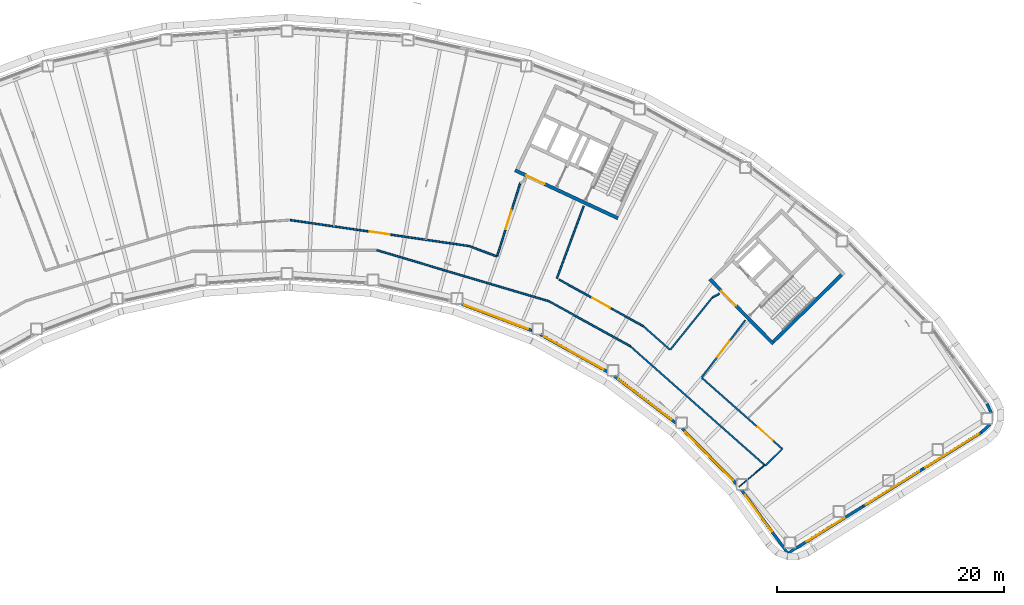
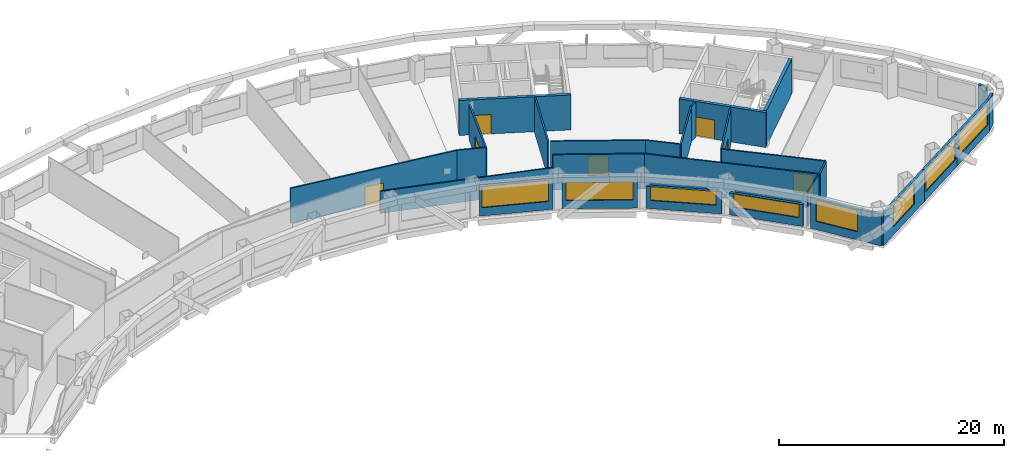
# One storey, part 6 of 19: 28 walls, 8 windows, 7 doors, 15 openings.
"""IFC4 building model written with IfcOpenShell, lengths in metres."""

from ifc_helpers import new_model, si_unit, direction, frame, frame_2d, origin, place, context, subcontext, project, spatial, rectangle, extrude, material, layer, layer_set, type_object, element, fill, save


model = new_model("IFC4")

# Units and contexts
model_context = context("Model", 3, precision=1e-05, world=origin(), true_north=direction((0.0, 1.0)))
body_context = subcontext(model_context, "Body", "Model", "MODEL_VIEW")
ifc_project = project(units=[si_unit("LENGTHUNIT", "METRE"), si_unit("AREAUNIT", "SQUARE_METRE"), si_unit("VOLUMEUNIT", "CUBIC_METRE"), si_unit("PLANEANGLEUNIT", "RADIAN"), si_unit("MASSUNIT", "GRAM", prefix="KILO")], contexts=[model_context])

# Site, building, storey
site_placement = place(None, origin())
site = spatial("IfcSite", under=ifc_project, at=site_placement, CompositionType="ELEMENT")
building_placement = place(site_placement, origin())
building = spatial("IfcBuilding", under=site, at=building_placement, Name="Tuul Gate Civic Tower", CompositionType="ELEMENT")
storey_placement = place(building_placement, frame((0.0, 0.0, 163.39990234375)))
storey = spatial("IfcBuildingStorey", under=building, at=storey_placement, Name="Level 37", CompositionType="ELEMENT", Elevation=163.39990234375)

# Wall, opening, door
ifc_material_1 = material(Name="Concrete C50/60", Category="concrete")
ifc_layer_1 = layer(ifc_material_1, 0.300048828125)
ifc_layer_set_1 = layer_set([ifc_layer_1], Name="Concrete C50/60")
wall_type_1 = type_object("IfcWallType", Name="Core wall C50/60", PredefinedType="SHEAR", material=ifc_layer_set_1)
wall_1_placement = place(storey_placement, frame((48.22509765625, -18.327880859375, 0.0), z_axis=(0.0, 0.0, 1.0), x_axis=(-0.700021979774, 0.714121297703, 0.0)))
wall_1 = element("IfcWall", 1, at=wall_1_placement, inside=storey, type_object=wall_type_1, Name="Core wall", PredefinedType="SHEAR", context=body_context, shape_type="SweptSolid", body=[
    extrude(rectangle(XDim=8.0, YDim=0.300048828125, at=frame_2d((4.0, 0.0))), origin(), (0.0, 0.0, 1.0), 3.800048828125),
])
opening_1_placement = place(wall_1_placement, frame((4.72509765625, 0.0, 0.0)))
opening_1 = element("IfcOpeningElement", 2, at=opening_1_placement, cuts=wall_1, Name="Opening LB-E1-LOBBY-1", PredefinedType="OPENING", context=body_context, shape_type="SweptSolid", body=[
    extrude(rectangle(XDim=1.800048828125, YDim=2.10009765625, at=frame_2d((0.89990234375, 1.050048828125))), frame((0.0, 0.16015625, 0.0), z_axis=(0.0, -1.0, 0.0), x_axis=(1.0, 0.0, 0.0)), (0.0, 0.0, 1.0), 0.320068359375),
])
ifc_material_2 = material(Name="Steel", Category="steel")
door_type_1 = type_object("IfcDoorType", Name="Lobby door", OperationType="DOUBLE_DOOR_SINGLE_SWING", PredefinedType="DOOR", material=ifc_material_2)
door_1_placement = place(opening_1_placement, frame((1.800048828125, 0.0, 0.0), z_axis=(0.0, 0.0, 1.0), x_axis=(-1.0, 0.0, 0.0)))
door_1 = element("IfcDoor", 3, at=door_1_placement, inside=storey, type_object=door_type_1, Name="Lobby door E1-LOBBY", OperationType="DOUBLE_DOOR_SINGLE_SWING", OverallHeight=2.10009765625, OverallWidth=1.800048828125, PredefinedType="DOOR", context=body_context, shape_type="SweptSolid", body=[
    extrude(rectangle(XDim=1.800048828125, YDim=2.10009765625, at=frame_2d((0.900146484375, 1.050048828125))), frame((0.0, 0.02490234375, 0.0), z_axis=(0.0, -1.0, 0.0), x_axis=(1.0, 0.0, 0.0)), (0.0, 0.0, 1.0), 0.050048828125),
])
fill(opening_1, door_1)

# Wall
wall_2_placement = place(storey_placement, frame((48.227294921875, -18.115966796875, 0.0), z_axis=(0.0, 0.0, 1.0), x_axis=(0.714105315431, 0.700038283577, 0.0)))
element("IfcWall", 4, at=wall_2_placement, inside=storey, type_object=wall_type_1, Name="Core wall", PredefinedType="SHEAR", context=body_context, shape_type="SweptSolid", body=[
    extrude(rectangle(XDim=8.400146484375, YDim=0.300048828125, at=frame_2d((4.2001953125, 0.0))), origin(), (0.0, 0.0, 1.0), 3.800048828125),
])

# Wall, opening, door
wall_3_placement = place(storey_placement, frame((34.5283203125, -7.25, 0.0), z_axis=(0.0, 0.0, 1.0), x_axis=(-0.906310338845, 0.422612789327, 0.0)))
wall_3 = element("IfcWall", 5, at=wall_3_placement, inside=storey, type_object=wall_type_1, Name="Core wall", PredefinedType="SHEAR", context=body_context, shape_type="SweptSolid", body=[
    extrude(rectangle(XDim=9.999755859375, YDim=0.300048828125, at=frame_2d((5.0, 0.0))), origin(), (0.0, 0.0, 1.0), 3.800048828125),
])
opening_2_placement = place(wall_3_placement, frame((7.125, 0.0, 0.0)))
opening_2 = element("IfcOpeningElement", 6, at=opening_2_placement, cuts=wall_3, Name="Opening LB-E3-LOBBY-1", PredefinedType="OPENING", context=body_context, shape_type="SweptSolid", body=[
    extrude(rectangle(XDim=1.800048828125, YDim=2.10009765625, at=frame_2d((0.89990234375, 1.050048828125))), frame((0.0, 0.16015625, 0.0), z_axis=(0.0, -1.0, 0.0), x_axis=(1.0, 0.0, 0.0)), (0.0, 0.0, 1.0), 0.320068359375),
])
door_2_placement = place(opening_2_placement, frame((1.800048828125, 0.0, 0.0), z_axis=(0.0, 0.0, 1.0), x_axis=(-1.0, 0.0, 0.0)))
door_2 = element("IfcDoor", 7, at=door_2_placement, inside=storey, type_object=door_type_1, Name="Lobby door E3-LOBBY", OperationType="DOUBLE_DOOR_SINGLE_SWING", OverallHeight=2.10009765625, OverallWidth=1.800048828125, PredefinedType="DOOR", context=body_context, shape_type="SweptSolid", body=[
    extrude(rectangle(XDim=1.800048828125, YDim=2.10009765625, at=frame_2d((0.900146484375, 1.050048828125))), frame((0.0, 0.02490234375, 0.0), z_axis=(0.0, -1.0, 0.0), x_axis=(1.0, 0.0, 0.0)), (0.0, 0.0, 1.0), 0.050048828125),
])
fill(opening_2, door_2)

# Walls
ifc_material_3 = material(Name="Gypsum board partition")
ifc_layer_2 = layer(ifc_material_3, 0.14990234375)
ifc_layer_set_2 = layer_set([ifc_layer_2], Name="Gypsum board partition")
wall_type_2 = type_object("IfcWallType", Name="Corridor wall P150", PredefinedType="PARTITIONING", material=ifc_layer_set_2)
wall_4_placement = place(storey_placement, frame((35.603759765625, -18.517578125, 0.0), z_axis=(0.0, 0.0, 1.0), x_axis=(0.749292763944, -0.662238894887, 0.0)))
element("IfcWall", 8, at=wall_4_placement, inside=storey, type_object=wall_type_2, Name="p003", PredefinedType="PARTITIONING", context=body_context, shape_type="SweptSolid", body=[
    extrude(rectangle(XDim=15.9013671875, YDim=0.14990234375, at=frame_2d((7.95068359375, 0.0))), origin(), (0.0, 0.0, 1.0), 3.800048828125),
])
wall_5_placement = place(storey_placement, frame((47.5185546875, -29.048095703125, 0.0), z_axis=(0.0, 0.0, 1.0), x_axis=(0.71162637718, 0.702558110978, 0.0)))
element("IfcWall", 9, at=wall_5_placement, inside=storey, type_object=wall_type_2, Name="p004", PredefinedType="PARTITIONING", context=body_context, shape_type="SweptSolid", body=[
    extrude(rectangle(XDim=2.099853515625, YDim=0.14990234375, at=frame_2d((1.0498046875, 0.0))), origin(), (0.0, 0.0, 1.0), 3.800048828125),
])
wall_6_placement = place(storey_placement, frame((36.755615234375, -16.755126953125, 0.0), z_axis=(0.0, 0.0, 1.0), x_axis=(0.749728970653, -0.661745019297, 0.0)))
element("IfcWall", 10, at=wall_6_placement, inside=storey, type_object=wall_type_2, Name="p005", PredefinedType="PARTITIONING", context=body_context, shape_type="SweptSolid", body=[
    extrude(rectangle(XDim=3.14111328125, YDim=0.14990234375, at=frame_2d((1.570556640625, 0.0))), origin(), (0.0, 0.0, 1.0), 3.800048828125),
])

# Wall, opening, door
wall_7_placement = place(storey_placement, frame((41.91015625, -21.30419921875, 0.0), z_axis=(0.0, 0.0, 1.0), x_axis=(0.74976489893, -0.661704311859, 0.0)))
wall_7 = element("IfcWall", 11, at=wall_7_placement, inside=storey, type_object=wall_type_2, Name="p006", PredefinedType="PARTITIONING", context=body_context, shape_type="SweptSolid", body=[
    extrude(rectangle(XDim=9.473388671875, YDim=0.14990234375, at=frame_2d((4.73681640625, 0.0))), origin(), (0.0, 0.0, 1.0), 3.800048828125),
])
opening_3_placement = place(wall_7_placement, frame((6.538818359375, 0.0, 0.0)))
opening_3 = element("IfcOpeningElement", 12, at=opening_3_placement, cuts=wall_7, Name="Opening M-D01", PredefinedType="OPENING", context=body_context, shape_type="SweptSolid", body=[
    extrude(rectangle(XDim=1.800048828125, YDim=2.10009765625, at=frame_2d((0.89990234375, 1.050048828125))), frame((0.0, 0.0849609375, 0.0), z_axis=(0.0, -1.0, 0.0), x_axis=(1.0, 0.0, 0.0)), (0.0, 0.0, 1.0), 0.169921875),
])
ifc_material_4 = material(Name="Timber door leaf, double", Category="wood")
door_type_2 = type_object("IfcDoorType", Name="Door D18", OperationType="DOUBLE_DOOR_SINGLE_SWING", PredefinedType="DOOR", material=ifc_material_4)
door_3_placement = place(opening_3_placement, origin())
door_3 = element("IfcDoor", 13, at=door_3_placement, inside=storey, type_object=door_type_2, Name="Door M-D01", OperationType="DOUBLE_DOOR_SINGLE_SWING", OverallHeight=2.10009765625, OverallWidth=1.800048828125, PredefinedType="DOOR", context=body_context, shape_type="SweptSolid", body=[
    extrude(rectangle(XDim=1.800048828125, YDim=2.10009765625, at=frame_2d((0.89990234375, 1.050048828125))), frame((0.0, 0.02490234375, 0.0), z_axis=(0.0, -1.0, 0.0), x_axis=(1.0, 0.0, 0.0)), (0.0, 0.0, 1.0), 0.050048828125),
])
fill(opening_3, door_3)

wall_8_placement = place(storey_placement, frame((41.9072265625, -21.27587890625, 0.0), z_axis=(0.0, 0.0, 1.0), x_axis=(0.605793761473, 0.795621718256, 0.0)))
wall_8 = element("IfcWall", 14, at=wall_8_placement, inside=storey, type_object=wall_type_2, Name="p008", PredefinedType="PARTITIONING", context=body_context, shape_type="SweptSolid", body=[
    extrude(rectangle(XDim=6.340576171875, YDim=0.14990234375, at=frame_2d((3.17041015625, 0.0))), origin(), (0.0, 0.0, 1.0), 3.800048828125),
])
opening_4_placement = place(wall_8_placement, frame((2.270263671875, 0.0, 0.0)))
opening_4 = element("IfcOpeningElement", 15, at=opening_4_placement, cuts=wall_8, Name="Opening M-D02", PredefinedType="OPENING", context=body_context, shape_type="SweptSolid", body=[
    extrude(rectangle(XDim=1.800048828125, YDim=2.10009765625, at=frame_2d((0.89990234375, 1.050048828125))), frame((0.0, 0.0849609375, 0.0), z_axis=(0.0, -1.0, 0.0), x_axis=(1.0, 0.0, 0.0)), (0.0, 0.0, 1.0), 0.169921875),
])
door_4_placement = place(opening_4_placement, frame((1.800048828125, 0.0, 0.0), z_axis=(0.0, 0.0, 1.0), x_axis=(-1.0, 0.0, 0.0)))
door_4 = element("IfcDoor", 16, at=door_4_placement, inside=storey, type_object=door_type_2, Name="Door M-D02", OperationType="DOUBLE_DOOR_SINGLE_SWING", OverallHeight=2.10009765625, OverallWidth=1.800048828125, PredefinedType="DOOR", context=body_context, shape_type="SweptSolid", body=[
    extrude(rectangle(XDim=1.800048828125, YDim=2.10009765625, at=frame_2d((0.900146484375, 1.050048828125))), frame((0.0, 0.02490234375, 0.0), z_axis=(0.0, -1.0, 0.0), x_axis=(1.0, 0.0, 0.0)), (0.0, 0.0, 1.0), 0.050048828125),
])
fill(opening_4, door_4)

# Walls
wall_9_placement = place(storey_placement, frame((21.3896484375, -9.6923828125, 0.0), z_axis=(0.0, 0.0, 1.0), x_axis=(0.937205585991, -0.34877742127, 0.0)))
element("IfcWall", 17, at=wall_9_placement, inside=storey, type_object=wall_type_2, Name="p010", PredefinedType="PARTITIONING", context=body_context, shape_type="SweptSolid", body=[
    extrude(rectangle(XDim=2.624267578125, YDim=0.14990234375, at=frame_2d((1.31201171875, 0.0))), origin(), (0.0, 0.0, 1.0), 3.800048828125),
])
wall_10_placement = place(storey_placement, frame((29.14208984375, -12.554931640625, 0.0), z_axis=(0.0, 0.0, 1.0), x_axis=(0.348381961378, 0.937352659881, 0.0)))
element("IfcWall", 18, at=wall_10_placement, inside=storey, type_object=wall_type_2, Name="p011", PredefinedType="PARTITIONING", context=body_context, shape_type="SweptSolid", body=[
    extrude(rectangle(XDim=6.805908203125, YDim=0.14990234375, at=frame_2d((3.40283203125, 0.0))), origin(), (0.0, 0.0, 1.0), 3.800048828125),
])
wall_11_placement = place(storey_placement, frame((42.857177734375, -14.217529296875, 0.0), z_axis=(0.0, 0.0, 1.0), x_axis=(0.886158968438, 0.463381357692, 0.0)))
element("IfcWall", 19, at=wall_11_placement, inside=storey, type_object=wall_type_2, Name="p012", PredefinedType="PARTITIONING", context=body_context, shape_type="SweptSolid", body=[
    extrude(rectangle(XDim=0.685546875, YDim=0.14990234375, at=frame_2d((0.3427734375, 0.0))), origin(), (0.0, 0.0, 1.0), 3.800048828125),
])
wall_12_placement = place(storey_placement, frame((39.140625, -18.831298828125, 0.0), z_axis=(0.0, 0.0, 1.0), x_axis=(0.627319818976, 0.778761738094, 0.0)))
element("IfcWall", 20, at=wall_12_placement, inside=storey, type_object=wall_type_2, Name="p013", PredefinedType="PARTITIONING", context=body_context, shape_type="SweptSolid", body=[
    extrude(rectangle(XDim=5.924560546875, YDim=0.14990234375, at=frame_2d((2.96240234375, 0.0))), origin(), (0.0, 0.0, 1.0), 3.800048828125),
])

# Wall, opening, door
wall_13_placement = place(storey_placement, frame((29.334228515625, -12.648193359375, 0.0), z_axis=(0.0, 0.0, 1.0), x_axis=(0.874959843626, -0.484195489489, 0.0)))
wall_13 = element("IfcWall", 21, at=wall_13_placement, inside=storey, type_object=wall_type_2, Name="p014", PredefinedType="PARTITIONING", context=body_context, shape_type="SweptSolid", body=[
    extrude(rectangle(XDim=8.48193359375, YDim=0.14990234375, at=frame_2d((4.240966796875, 0.0))), origin(), (0.0, 0.0, 1.0), 3.800048828125),
])
opening_5_placement = place(wall_13_placement, frame((3.3408203125, 0.0, 0.0)))
opening_5 = element("IfcOpeningElement", 22, at=opening_5_placement, cuts=wall_13, Name="Opening M-D03", PredefinedType="OPENING", context=body_context, shape_type="SweptSolid", body=[
    extrude(rectangle(XDim=1.800048828125, YDim=2.10009765625, at=frame_2d((0.89990234375, 1.050048828125))), frame((0.0, 0.0849609375, 0.0), z_axis=(0.0, -1.0, 0.0), x_axis=(1.0, 0.0, 0.0)), (0.0, 0.0, 1.0), 0.169921875),
])
door_5_placement = place(opening_5_placement, origin())
door_5 = element("IfcDoor", 23, at=door_5_placement, inside=storey, type_object=door_type_2, Name="Door M-D03", OperationType="DOUBLE_DOOR_SINGLE_SWING", OverallHeight=2.10009765625, OverallWidth=1.800048828125, PredefinedType="DOOR", context=body_context, shape_type="SweptSolid", body=[
    extrude(rectangle(XDim=1.800048828125, YDim=2.10009765625, at=frame_2d((0.89990234375, 1.050048828125))), frame((0.0, 0.02490234375, 0.0), z_axis=(0.0, -1.0, 0.0), x_axis=(1.0, 0.0, 0.0)), (0.0, 0.0, 1.0), 0.050048828125),
])
fill(opening_5, door_5)

wall_14_placement = place(storey_placement, frame((23.87548828125, -10.596435546875, 0.0), z_axis=(0.0, 0.0, 1.0), x_axis=(0.302123034853, 0.953268939917, 0.0)))
wall_14 = element("IfcWall", 24, at=wall_14_placement, inside=storey, type_object=wall_type_2, Name="p017", PredefinedType="PARTITIONING", context=body_context, shape_type="SweptSolid", body=[
    extrude(rectangle(XDim=6.761962890625, YDim=0.14990234375, at=frame_2d((3.380859375, 0.0))), origin(), (0.0, 0.0, 1.0), 3.800048828125),
])
opening_6_placement = place(wall_14_placement, frame((2.481201171875, 0.0, 0.0)))
opening_6 = element("IfcOpeningElement", 25, at=opening_6_placement, cuts=wall_14, Name="Opening M-D04", PredefinedType="OPENING", context=body_context, shape_type="SweptSolid", body=[
    extrude(rectangle(XDim=1.800048828125, YDim=2.10009765625, at=frame_2d((0.89990234375, 1.050048828125))), frame((0.0, 0.0849609375, 0.0), z_axis=(0.0, -1.0, 0.0), x_axis=(1.0, 0.0, 0.0)), (0.0, 0.0, 1.0), 0.169921875),
])
door_6_placement = place(opening_6_placement, origin())
door_6 = element("IfcDoor", 26, at=door_6_placement, inside=storey, type_object=door_type_2, Name="Door M-D04", OperationType="DOUBLE_DOOR_SINGLE_SWING", OverallHeight=2.10009765625, OverallWidth=1.800048828125, PredefinedType="DOOR", context=body_context, shape_type="SweptSolid", body=[
    extrude(rectangle(XDim=1.800048828125, YDim=2.10009765625, at=frame_2d((0.89990234375, 1.050048828125))), frame((0.0, 0.02490234375, 0.0), z_axis=(0.0, -1.0, 0.0), x_axis=(1.0, 0.0, 0.0)), (0.0, 0.0, 1.0), 0.050048828125),
])
fill(opening_6, door_6)

wall_15_placement = place(storey_placement, frame((5.618408203125, -7.40478515625, 0.0), z_axis=(0.0, 0.0, 1.0), x_axis=(0.989620181585, -0.143707676205, 0.0)))
wall_15 = element("IfcWall", 27, at=wall_15_placement, inside=storey, type_object=wall_type_2, Name="p018", PredefinedType="PARTITIONING", context=body_context, shape_type="SweptSolid", body=[
    extrude(rectangle(XDim=15.93359375, YDim=0.14990234375, at=frame_2d((7.966796875, 0.0))), origin(), (0.0, 0.0, 1.0), 3.800048828125),
])
opening_7_placement = place(wall_15_placement, frame((7.1103515625, 0.0, 0.0)))
opening_7 = element("IfcOpeningElement", 28, at=opening_7_placement, cuts=wall_15, Name="Opening M-D05", PredefinedType="OPENING", context=body_context, shape_type="SweptSolid", body=[
    extrude(rectangle(XDim=1.800048828125, YDim=2.10009765625, at=frame_2d((0.89990234375, 1.050048828125))), frame((0.0, 0.0849609375, 0.0), z_axis=(0.0, -1.0, 0.0), x_axis=(1.0, 0.0, 0.0)), (0.0, 0.0, 1.0), 0.169921875),
])
door_7_placement = place(opening_7_placement, origin())
door_7 = element("IfcDoor", 29, at=door_7_placement, inside=storey, type_object=door_type_2, Name="Door M-D05", OperationType="DOUBLE_DOOR_SINGLE_SWING", OverallHeight=2.10009765625, OverallWidth=1.800048828125, PredefinedType="DOOR", context=body_context, shape_type="SweptSolid", body=[
    extrude(rectangle(XDim=1.800048828125, YDim=2.10009765625, at=frame_2d((0.89990234375, 1.050048828125))), frame((0.0, 0.02490234375, 0.0), z_axis=(0.0, -1.0, 0.0), x_axis=(1.0, 0.0, 0.0)), (0.0, 0.0, 1.0), 0.050048828125),
])
fill(opening_7, door_7)

# Walls
wall_16_placement = place(storey_placement, frame((28.455078125, -14.56201171875, 0.0), z_axis=(0.0, 0.0, 1.0), x_axis=(0.874963744248, -0.484188440849, 0.0)))
element("IfcWall", 30, at=wall_16_placement, inside=storey, type_object=wall_type_2, Name="p056", PredefinedType="PARTITIONING", context=body_context, shape_type="SweptSolid", body=[
    extrude(rectangle(XDim=8.169921875, YDim=0.14990234375, at=frame_2d((4.0849609375, 0.0))), origin(), (0.0, 0.0, 1.0), 3.800048828125),
])
ifc_material_5 = material(Name="Gypsum board partition")
ifc_layer_3 = layer(ifc_material_5, 0.14990234375)
ifc_layer_set_3 = layer_set([ifc_layer_3], Name="Gypsum board partition")
wall_type_3 = type_object("IfcWallType", Name="Corridor wall P150 2400 HIGH", PredefinedType="PARTITIONING", material=ifc_layer_set_3)
wall_17_placement = place(storey_placement, frame((13.28662109375, -10.06591796875, 0.0), z_axis=(0.0, 0.0, 1.0), x_axis=(0.958768217099, -0.284189207888, 0.0)))
element("IfcWall", 31, at=wall_17_placement, inside=storey, type_object=wall_type_3, Name="p055", PredefinedType="PARTITIONING", context=body_context, shape_type="SweptSolid", body=[
    extrude(rectangle(XDim=15.82080078125, YDim=0.14990234375, at=frame_2d((7.910400390625, 0.0))), origin(), (0.0, 0.0, 1.0), 2.400146484375),
])
ifc_material_6 = material(Name="Precast concrete C40/50", Category="concrete")
ifc_layer_4 = layer(ifc_material_6, 0.25)
ifc_layer_set_4 = layer_set([ifc_layer_4], Name="Precast concrete C40/50")
wall_type_4 = type_object("IfcWallType", Name="External wall", PredefinedType="STANDARD", material=ifc_layer_set_4)
wall_18_placement = place(storey_placement, frame((66.564453125, -26.109619140625, 0.0), z_axis=(0.0, 0.0, 1.0), x_axis=(0.722224898846, 0.691658293875, 0.0)))
element("IfcWall", 32, at=wall_18_placement, inside=storey, type_object=wall_type_4, Name="External wall", PredefinedType="STANDARD", context=body_context, shape_type="SweptSolid", body=[
    extrude(rectangle(XDim=1.0302734375, YDim=0.25, at=frame_2d((0.51513671875, 0.0))), origin(), (0.0, 0.0, 1.0), 3.4501953125),
])
wall_19_placement = place(storey_placement, frame((67.416015625, -24.39697265625, 0.0), z_axis=(0.0, 0.0, 1.0), x_axis=(-0.41355333093, 0.9104798968, 0.0)))
element("IfcWall", 33, at=wall_19_placement, inside=storey, type_object=wall_type_4, Name="External wall", PredefinedType="STANDARD", context=body_context, shape_type="SweptSolid", body=[
    extrude(rectangle(XDim=0.88427734375, YDim=0.25, at=frame_2d((0.442138671875, 0.0))), origin(), (0.0, 0.0, 1.0), 3.4501953125),
])

# Wall, opening, window
wall_20_placement = place(storey_placement, frame((20.76416015625, -14.806884765625, 0.0), z_axis=(0.0, 0.0, 1.0), x_axis=(0.935359421998, -0.353698673562, 0.0)))
wall_20 = element("IfcWall", 34, at=wall_20_placement, inside=storey, type_object=wall_type_4, Name="External wall", PredefinedType="STANDARD", context=body_context, shape_type="SweptSolid", body=[
    extrude(rectangle(XDim=6.625, YDim=0.25, at=frame_2d((3.3125, 0.0))), origin(), (0.0, 0.0, 1.0), 3.4501953125),
])
opening_8_placement = place(wall_20_placement, frame((0.240478515625, 0.0, 0.89990234375)))
opening_8 = element("IfcOpeningElement", 35, at=opening_8_placement, cuts=wall_20, Name="Opening W26", PredefinedType="OPENING", context=body_context, shape_type="SweptSolid", body=[
    extrude(rectangle(XDim=6.0, YDim=2.300048828125, at=frame_2d((3.0, 1.14990234375))), frame((0.0, 0.135009765625, 0.0), z_axis=(0.0, -1.0, 0.0), x_axis=(1.0, 0.0, 0.0)), (0.0, 0.0, 1.0), 0.27001953125),
])
ifc_material_7 = material(Name="Glass", Category="glass")
window_type_1 = type_object("IfcWindowType", Name="Window W26 6000 x 2300", PartitioningType="SINGLE_PANEL", PredefinedType="WINDOW", material=ifc_material_7)
window_1_placement = place(opening_8_placement, origin())
window_1 = element("IfcWindow", 36, at=window_1_placement, inside=storey, type_object=window_type_1, Name="Window", OverallHeight=2.300048828125, OverallWidth=6.0, PartitioningType="SINGLE_PANEL", PredefinedType="WINDOW", context=body_context, shape_type="SweptSolid", body=[
    extrude(rectangle(XDim=6.0, YDim=2.300048828125, at=frame_2d((3.0, 1.14990234375))), frame((0.0, 0.030029296875, 0.0), z_axis=(0.0, -1.0, 0.0), x_axis=(1.0, 0.0, 0.0)), (0.0, 0.0, 1.0), 0.06005859375),
])
fill(opening_8, window_1)

wall_21_placement = place(storey_placement, frame((27.693115234375, -17.491943359375, 0.0), z_axis=(0.0, 0.0, 1.0), x_axis=(0.874615488592, -0.484817230628, 0.0)))
wall_21 = element("IfcWall", 37, at=wall_21_placement, inside=storey, type_object=wall_type_4, Name="External wall", PredefinedType="STANDARD", context=body_context, shape_type="SweptSolid", body=[
    extrude(rectangle(XDim=6.7548828125, YDim=0.25, at=frame_2d((3.37744140625, 0.0))), origin(), (0.0, 0.0, 1.0), 3.4501953125),
])
opening_9_placement = place(wall_21_placement, frame((0.35009765625, 0.0, 0.89990234375)))
opening_9 = element("IfcOpeningElement", 38, at=opening_9_placement, cuts=wall_21, Name="Opening W148", PredefinedType="OPENING", context=body_context, shape_type="SweptSolid", body=[
    extrude(rectangle(XDim=6.0, YDim=1.949951171875, at=frame_2d((3.0, 0.97509765625))), frame((0.0, 0.135009765625, 0.0), z_axis=(0.0, -1.0, 0.0), x_axis=(1.0, 0.0, 0.0)), (0.0, 0.0, 1.0), 0.27001953125),
])
ifc_material_8 = material(Name="Glass", Category="glass")
window_type_2 = type_object("IfcWindowType", Name="Window W148 6000 x 1950", PartitioningType="SINGLE_PANEL", PredefinedType="WINDOW", material=ifc_material_8)
window_2_placement = place(opening_9_placement, origin())
window_2 = element("IfcWindow", 39, at=window_2_placement, inside=storey, type_object=window_type_2, Name="Window", OverallHeight=1.949951171875, OverallWidth=6.0, PartitioningType="SINGLE_PANEL", PredefinedType="WINDOW", context=body_context, shape_type="SweptSolid", body=[
    extrude(rectangle(XDim=6.0, YDim=1.949951171875, at=frame_2d((3.0, 0.97509765625))), frame((0.0, 0.030029296875, 0.0), z_axis=(0.0, -1.0, 0.0), x_axis=(1.0, 0.0, 0.0)), (0.0, 0.0, 1.0), 0.06005859375),
])
fill(opening_9, window_2)

wall_22_placement = place(storey_placement, frame((45.417724609375, -31.193115234375, 0.0), z_axis=(0.0, 0.0, 1.0), x_axis=(0.589725122594, -0.807604036507, 0.0)))
wall_22 = element("IfcWall", 40, at=wall_22_placement, inside=storey, type_object=wall_type_4, Name="External wall", PredefinedType="STANDARD", context=body_context, shape_type="SweptSolid", body=[
    extrude(rectangle(XDim=6.910400390625, YDim=0.25, at=frame_2d((3.455078125, 0.0))), origin(), (0.0, 0.0, 1.0), 3.4501953125),
])
opening_10_placement = place(wall_22_placement, frame((0.5439453125, 0.0, 0.89990234375)))
opening_10 = element("IfcOpeningElement", 41, at=opening_10_placement, cuts=wall_22, Name="Opening W117", PredefinedType="OPENING", context=body_context, shape_type="SweptSolid", body=[
    extrude(rectangle(XDim=4.0, YDim=2.300048828125, at=frame_2d((2.0, 1.14990234375))), frame((0.0, 0.135009765625, 0.0), z_axis=(0.0, -1.0, 0.0), x_axis=(1.0, 0.0, 0.0)), (0.0, 0.0, 1.0), 0.27001953125),
])
ifc_material_9 = material(Name="Glass", Category="glass")
window_type_3 = type_object("IfcWindowType", Name="Window W117 4000 x 2300", PartitioningType="SINGLE_PANEL", PredefinedType="WINDOW", material=ifc_material_9)
window_3_placement = place(opening_10_placement, origin())
window_3 = element("IfcWindow", 42, at=window_3_placement, inside=storey, type_object=window_type_3, Name="Window", OverallHeight=2.300048828125, OverallWidth=4.0, PartitioningType="SINGLE_PANEL", PredefinedType="WINDOW", context=body_context, shape_type="SweptSolid", body=[
    extrude(rectangle(XDim=4.0, YDim=2.300048828125, at=frame_2d((2.0, 1.14990234375))), frame((0.0, 0.030029296875, 0.0), z_axis=(0.0, -1.0, 0.0), x_axis=(1.0, 0.0, 0.0)), (0.0, 0.0, 1.0), 0.06005859375),
])
fill(opening_10, window_3)

wall_23_placement = place(storey_placement, frame((49.492919921875, -36.77392578125, 0.0), z_axis=(0.0, 0.0, 1.0), x_axis=(0.848059933221, 0.529900320499, 0.0)))
wall_23 = element("IfcWall", 43, at=wall_23_placement, inside=storey, type_object=wall_type_4, Name="External wall", PredefinedType="STANDARD", context=body_context, shape_type="SweptSolid", body=[
    extrude(rectangle(XDim=7.78857421875, YDim=0.25, at=frame_2d((3.894287109375, 0.0))), origin(), (0.0, 0.0, 1.0), 3.4501953125),
])
opening_11_placement = place(wall_23_placement, frame((1.94189453125, 0.0, 0.89990234375)))
opening_11 = element("IfcOpeningElement", 44, at=opening_11_placement, cuts=wall_23, Name="Opening W113", PredefinedType="OPENING", context=body_context, shape_type="SweptSolid", body=[
    extrude(rectangle(XDim=3.949951171875, YDim=2.300048828125, at=frame_2d((1.97509765625, 1.14990234375))), frame((0.0, 0.135009765625, 0.0), z_axis=(0.0, -1.0, 0.0), x_axis=(1.0, 0.0, 0.0)), (0.0, 0.0, 1.0), 0.27001953125),
])
ifc_material_10 = material(Name="Glass", Category="glass")
window_type_4 = type_object("IfcWindowType", Name="Window W113 3950 x 2300", PartitioningType="SINGLE_PANEL", PredefinedType="WINDOW", material=ifc_material_10)
window_4_placement = place(opening_11_placement, origin())
window_4 = element("IfcWindow", 45, at=window_4_placement, inside=storey, type_object=window_type_4, Name="Window", OverallHeight=2.300048828125, OverallWidth=3.949951171875, PartitioningType="SINGLE_PANEL", PredefinedType="WINDOW", context=body_context, shape_type="SweptSolid", body=[
    extrude(rectangle(XDim=3.949951171875, YDim=2.300048828125, at=frame_2d((1.97509765625, 1.14990234375))), frame((0.0, 0.030029296875, 0.0), z_axis=(0.0, -1.0, 0.0), x_axis=(1.0, 0.0, 0.0)), (0.0, 0.0, 1.0), 0.06005859375),
])
fill(opening_11, window_4)

wall_24_placement = place(storey_placement, frame((56.09814453125, -32.646728515625, 0.0), z_axis=(0.0, 0.0, 1.0), x_axis=(0.848042669488, 0.529927948619, 0.0)))
wall_24 = element("IfcWall", 46, at=wall_24_placement, inside=storey, type_object=wall_type_4, Name="External wall", PredefinedType="STANDARD", context=body_context, shape_type="SweptSolid", body=[
    extrude(rectangle(XDim=6.1826171875, YDim=0.25, at=frame_2d((3.09130859375, 0.0))), origin(), (0.0, 0.0, 1.0), 3.4501953125),
])
opening_12_placement = place(wall_24_placement, frame((0.31640625, 0.0, 0.89990234375)))
opening_12 = element("IfcOpeningElement", 47, at=opening_12_placement, cuts=wall_24, Name="Opening W24", PredefinedType="OPENING", context=body_context, shape_type="SweptSolid", body=[
    extrude(rectangle(XDim=5.550048828125, YDim=2.300048828125, at=frame_2d((2.77490234375, 1.14990234375))), frame((0.0, 0.135009765625, 0.0), z_axis=(0.0, -1.0, 0.0), x_axis=(1.0, 0.0, 0.0)), (0.0, 0.0, 1.0), 0.27001953125),
])
ifc_material_11 = material(Name="Glass", Category="glass")
window_type_5 = type_object("IfcWindowType", Name="Window W24 5550 x 2300", PartitioningType="SINGLE_PANEL", PredefinedType="WINDOW", material=ifc_material_11)
window_5_placement = place(opening_12_placement, origin())
window_5 = element("IfcWindow", 48, at=window_5_placement, inside=storey, type_object=window_type_5, Name="Window", OverallHeight=2.300048828125, OverallWidth=5.550048828125, PartitioningType="SINGLE_PANEL", PredefinedType="WINDOW", context=body_context, shape_type="SweptSolid", body=[
    extrude(rectangle(XDim=5.550048828125, YDim=2.300048828125, at=frame_2d((2.77490234375, 1.14990234375))), frame((0.0, 0.030029296875, 0.0), z_axis=(0.0, -1.0, 0.0), x_axis=(1.0, 0.0, 0.0)), (0.0, 0.0, 1.0), 0.06005859375),
])
fill(opening_12, window_5)

wall_25_placement = place(storey_placement, frame((61.34130859375, -29.370361328125, 0.0), z_axis=(0.0, 0.0, 1.0), x_axis=(0.848053758074, 0.529910203164, 0.0)))
wall_25 = element("IfcWall", 49, at=wall_25_placement, inside=storey, type_object=wall_type_4, Name="External wall", PredefinedType="STANDARD", context=body_context, shape_type="SweptSolid", body=[
    extrude(rectangle(XDim=6.182861328125, YDim=0.25, at=frame_2d((3.09130859375, 0.0))), origin(), (0.0, 0.0, 1.0), 3.4501953125),
])
opening_13_placement = place(wall_25_placement, frame((0.31640625, 0.0, 0.89990234375)))
opening_13 = element("IfcOpeningElement", 50, at=opening_13_placement, cuts=wall_25, Name="Opening W24", PredefinedType="OPENING", context=body_context, shape_type="SweptSolid", body=[
    extrude(rectangle(XDim=5.550048828125, YDim=2.300048828125, at=frame_2d((2.77490234375, 1.14990234375))), frame((0.0, 0.135009765625, 0.0), z_axis=(0.0, -1.0, 0.0), x_axis=(1.0, 0.0, 0.0)), (0.0, 0.0, 1.0), 0.27001953125),
])
window_6_placement = place(opening_13_placement, origin())
window_6 = element("IfcWindow", 51, at=window_6_placement, inside=storey, type_object=window_type_5, Name="Window", OverallHeight=2.300048828125, OverallWidth=5.550048828125, PartitioningType="SINGLE_PANEL", PredefinedType="WINDOW", context=body_context, shape_type="SweptSolid", body=[
    extrude(rectangle(XDim=5.550048828125, YDim=2.300048828125, at=frame_2d((2.77490234375, 1.14990234375))), frame((0.0, 0.030029296875, 0.0), z_axis=(0.0, -1.0, 0.0), x_axis=(1.0, 0.0, 0.0)), (0.0, 0.0, 1.0), 0.06005859375),
])
fill(opening_13, window_6)

ifc_material_12 = material(Name="Precast concrete C40/50", Category="concrete")
ifc_layer_5 = layer(ifc_material_12, 0.25)
ifc_layer_set_5 = layer_set([ifc_layer_5], Name="Precast concrete C40/50")
wall_type_5 = type_object("IfcWallType", Name="External wall 2400 HIGH", PredefinedType="STANDARD", material=ifc_layer_set_5)
wall_26_placement = place(storey_placement, frame((34.220458984375, -21.172119140625, 0.0), z_axis=(0.0, 0.0, 1.0), x_axis=(0.795597025415, -0.605826190546, 0.0)))
wall_26 = element("IfcWall", 52, at=wall_26_placement, inside=storey, type_object=wall_type_5, Name="External wall", PredefinedType="STANDARD", context=body_context, shape_type="SweptSolid", body=[
    extrude(rectangle(XDim=6.813232421875, YDim=0.25, at=frame_2d((3.40673828125, 0.0))), origin(), (0.0, 0.0, 1.0), 2.400146484375),
])
opening_14_placement = place(wall_26_placement, frame((0.416015625, 0.0, 0.89990234375)))
opening_14 = element("IfcOpeningElement", 53, at=opening_14_placement, cuts=wall_26, Name="Opening W159", PredefinedType="OPENING", context=body_context, shape_type="SweptSolid", body=[
    extrude(rectangle(XDim=5.89990234375, YDim=1.5, at=frame_2d((2.949951171875, 0.75))), frame((0.0, 0.135009765625, 0.0), z_axis=(0.0, -1.0, 0.0), x_axis=(1.0, 0.0, 0.0)), (0.0, 0.0, 1.0), 0.27001953125),
])
ifc_material_13 = material(Name="Glass", Category="glass")
window_type_6 = type_object("IfcWindowType", Name="Window 5900 x 1500", PartitioningType="SINGLE_PANEL", PredefinedType="WINDOW", material=ifc_material_13)
window_7_placement = place(opening_14_placement, origin())
window_7 = element("IfcWindow", 54, at=window_7_placement, inside=storey, type_object=window_type_6, Name="Window", OverallHeight=1.5, OverallWidth=5.89990234375, PartitioningType="SINGLE_PANEL", PredefinedType="WINDOW", context=body_context, shape_type="SweptSolid", body=[
    extrude(rectangle(XDim=5.89990234375, YDim=1.5, at=frame_2d((2.949951171875, 0.75))), frame((0.0, 0.030029296875, 0.0), z_axis=(0.0, -1.0, 0.0), x_axis=(1.0, 0.0, 0.0)), (0.0, 0.0, 1.0), 0.06005859375),
])
fill(opening_14, window_7)

wall_27_placement = place(storey_placement, frame((40.1748046875, -25.77099609375, 0.0), z_axis=(0.0, 0.0, 1.0), x_axis=(0.700046388208, -0.714097370361, 0.0)))
wall_27 = element("IfcWall", 55, at=wall_27_placement, inside=storey, type_object=wall_type_5, Name="External wall", PredefinedType="STANDARD", context=body_context, shape_type="SweptSolid", body=[
    extrude(rectangle(XDim=6.82861328125, YDim=0.25, at=frame_2d((3.414306640625, 0.0))), origin(), (0.0, 0.0, 1.0), 2.400146484375),
])
opening_15_placement = place(wall_27_placement, frame((0.4150390625, 0.0, 0.89990234375)))
opening_15 = element("IfcOpeningElement", 56, at=opening_15_placement, cuts=wall_27, Name="Opening W107", PredefinedType="OPENING", context=body_context, shape_type="SweptSolid", body=[
    extrude(rectangle(XDim=6.0, YDim=1.449951171875, at=frame_2d((3.0, 0.72509765625))), frame((0.0, 0.135009765625, 0.0), z_axis=(0.0, -1.0, 0.0), x_axis=(1.0, 0.0, 0.0)), (0.0, 0.0, 1.0), 0.27001953125),
])
ifc_material_14 = material(Name="Glass", Category="glass")
window_type_7 = type_object("IfcWindowType", Name="Window W107 6000 x 1450", PartitioningType="SINGLE_PANEL", PredefinedType="WINDOW", material=ifc_material_14)
window_8_placement = place(opening_15_placement, origin())
window_8 = element("IfcWindow", 57, at=window_8_placement, inside=storey, type_object=window_type_7, Name="Window", OverallHeight=1.449951171875, OverallWidth=6.0, PartitioningType="SINGLE_PANEL", PredefinedType="WINDOW", context=body_context, shape_type="SweptSolid", body=[
    extrude(rectangle(XDim=6.0, YDim=1.449951171875, at=frame_2d((3.0, 0.72509765625))), frame((0.0, 0.030029296875, 0.0), z_axis=(0.0, -1.0, 0.0), x_axis=(1.0, 0.0, 0.0)), (0.0, 0.0, 1.0), 0.06005859375),
])
fill(opening_15, window_8)

# Wall
ifc_material_15 = material(Name="Gypsum board partition")
ifc_layer_6 = layer(ifc_material_15, 0.10009765625)
ifc_layer_set_6 = layer_set([ifc_layer_6], Name="Gypsum board partition")
wall_type_6 = type_object("IfcWallType", Name="Partition P100", PredefinedType="PARTITIONING", material=ifc_layer_set_6)
wall_28_placement = place(storey_placement, frame((45.202392578125, -30.906982421875, 0.0), z_axis=(0.0, 0.0, 1.0), x_axis=(0.762869375217, 0.64655264005, 0.0)))
element("IfcWall", 58, at=wall_28_placement, inside=storey, type_object=wall_type_6, Name="p002", PredefinedType="PARTITIONING", context=body_context, shape_type="SweptSolid", body=[
    extrude(rectangle(XDim=2.957275390625, YDim=0.10009765625, at=frame_2d((1.478515625, 0.0))), origin(), (0.0, 0.0, 1.0), 3.800048828125),
])

save(model, "model.ifc")
